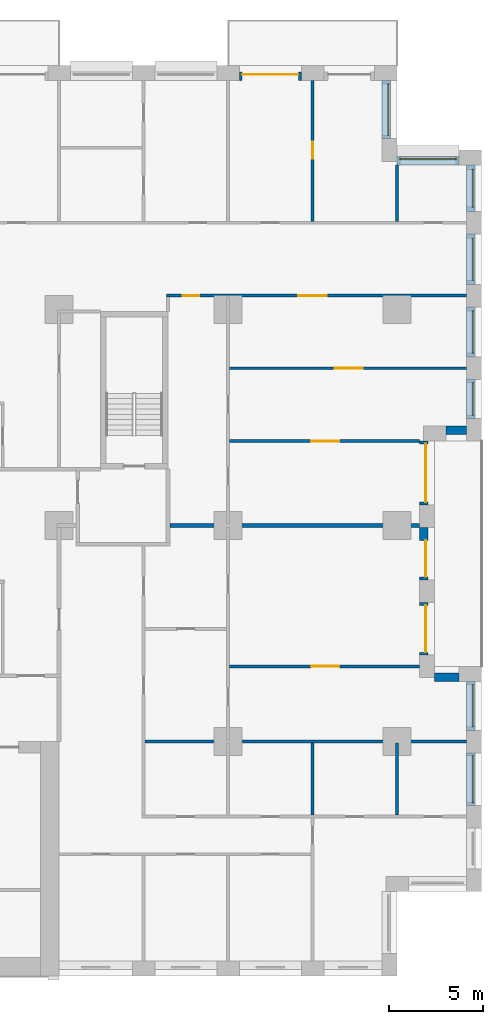
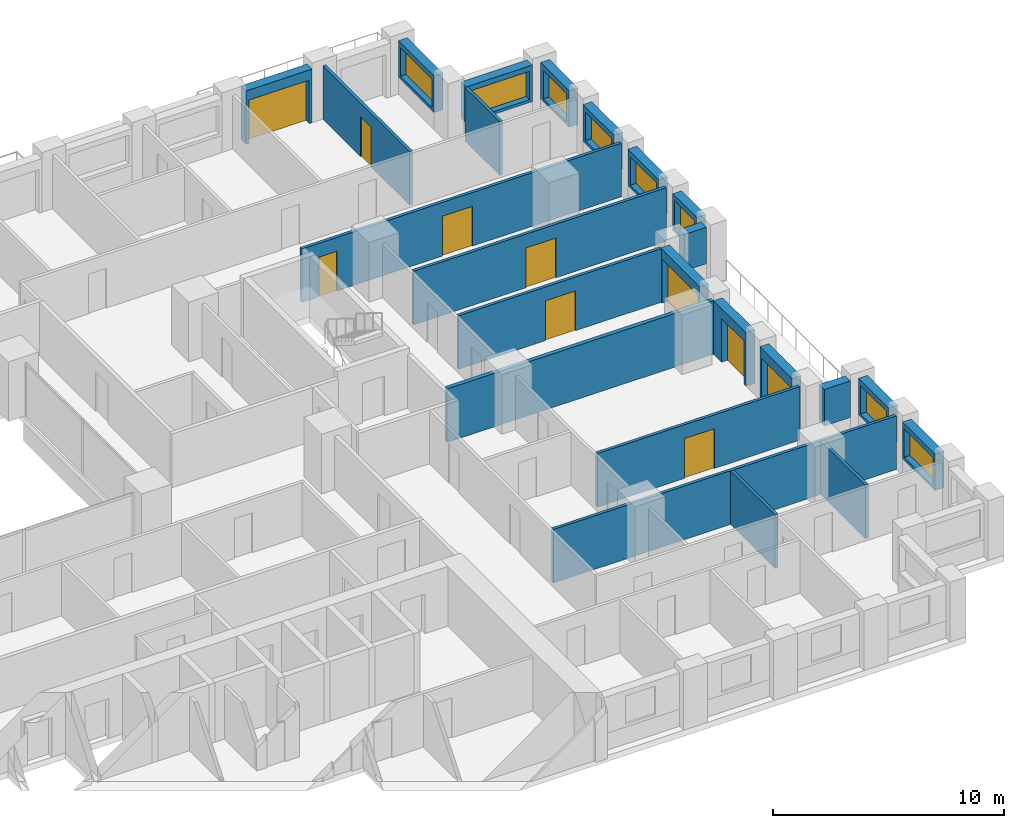
# One storey, part 16 of 19: 24 walls, 10 doors, 8 windows, 18 openings.
"""IFC4 building model written with IfcOpenShell, lengths in metres."""

from ifc_helpers import new_model, si_unit, direction, frame, frame_2d, origin, place, context, subcontext, project, spatial, rectangle, extrude, material, layer, layer_set, type_object, element, fill, save


model = new_model("IFC4")

# Units and contexts
model_context = context("Model", 3, precision=1e-05, world=origin(), true_north=direction((0.0, 1.0)))
body_context = subcontext(model_context, "Body", "Model", "MODEL_VIEW")
ifc_project = project(units=[si_unit("LENGTHUNIT", "METRE"), si_unit("AREAUNIT", "SQUARE_METRE"), si_unit("VOLUMEUNIT", "CUBIC_METRE"), si_unit("PLANEANGLEUNIT", "RADIAN"), si_unit("MASSUNIT", "GRAM", prefix="KILO")], contexts=[model_context])

# Site, building, storey
site_placement = place(None, origin())
site = spatial("IfcSite", under=ifc_project, at=site_placement, CompositionType="ELEMENT")
building_placement = place(site_placement, origin())
building = spatial("IfcBuilding", under=site, at=building_placement, Name="Brigalow Station Residences", CompositionType="ELEMENT")
storey_placement = place(building_placement, frame((0.0, 0.0, 25.800048828125)))
storey = spatial("IfcBuildingStorey", under=building, at=storey_placement, Name="L06", CompositionType="ELEMENT", Elevation=25.800048828125)

# Wall, opening, window
ifc_material_1 = material(Name="Clay brick masonry", Category="masonry")
ifc_layer_1 = layer(ifc_material_1, 0.449951171875)
ifc_layer_set_1 = layer_set([ifc_layer_1], Name="BRICK INFILL WALL 450")
wall_type_1 = type_object("IfcWallType", Name="BRICK INFILL WALL 450", PredefinedType="SOLIDWALL", material=ifc_layer_set_1)
wall_1_placement = place(storey_placement, frame((75.925048828125, 9.10009765625, 0.89990234375), z_axis=(0.0, 0.0, 1.0), x_axis=(0.0, 1.0, 0.0)))
wall_1 = element("IfcWall", 1, at=wall_1_placement, inside=storey, type_object=wall_type_1, Name="L06/ewall/W-L06-12", PredefinedType="SOLIDWALL", context=body_context, shape_type="SweptSolid", body=[
    extrude(rectangle(XDim=2.7998046875, YDim=0.449951171875, at=frame_2d((1.39990234375, 0.0))), origin(), (0.0, 0.0, 1.0), 1.929931640625),
])
opening_1_placement = place(wall_1_placement, frame((0.14990234375, 0.0, 0.14990234375)))
opening_1 = element("IfcOpeningElement", 2, at=opening_1_placement, cuts=wall_1, Name="Opening WT-5", PredefinedType="OPENING", context=body_context, shape_type="SweptSolid", body=[
    extrude(rectangle(XDim=2.5, YDim=1.5, at=frame_2d((1.25, 0.75))), frame((0.0, 0.23486328125, 0.0), z_axis=(0.0, -1.0, 0.0), x_axis=(1.0, 0.0, 0.0)), (0.0, 0.0, 1.0), 0.469970703125),
])
ifc_material_2 = material(Name="Anodised aluminium frame with double glazing", Category="aluminium")
window_type_1 = type_object("IfcWindowType", Name="WINDOW 2500x1500", PartitioningType="SINGLE_PANEL", PredefinedType="WINDOW", material=ifc_material_2)
window_1_placement = place(opening_1_placement, origin())
window_1 = element("IfcWindow", 3, at=window_1_placement, inside=storey, type_object=window_type_1, Name="L06/window/W-L06-12", OverallHeight=1.5, OverallWidth=2.5, PartitioningType="SINGLE_PANEL", PredefinedType="WINDOW", context=body_context, shape_type="SweptSolid", body=[
    extrude(rectangle(XDim=2.5, YDim=1.5, at=frame_2d((1.25, 0.75))), frame((0.0, -0.06494140625, 0.0), z_axis=(0.0, -1.0, 0.0), x_axis=(1.0, 0.0, 0.0)), (0.0, 0.0, 1.0), 0.06005859375),
])
fill(opening_1, window_1)

wall_2_placement = place(storey_placement, frame((75.925048828125, 13.10009765625, 0.89990234375), z_axis=(0.0, 0.0, 1.0), x_axis=(0.0, 1.0, 0.0)))
wall_2 = element("IfcWall", 4, at=wall_2_placement, inside=storey, type_object=wall_type_1, Name="L06/ewall/W-L06-13", PredefinedType="SOLIDWALL", context=body_context, shape_type="SweptSolid", body=[
    extrude(rectangle(XDim=2.599853515625, YDim=0.449951171875, at=frame_2d((1.2998046875, 0.0))), origin(), (0.0, 0.0, 1.0), 1.929931640625),
])
opening_2_placement = place(wall_2_placement, frame((0.175048828125, 0.0, 0.14990234375)))
opening_2 = element("IfcOpeningElement", 5, at=opening_2_placement, cuts=wall_2, Name="Opening WT-6", PredefinedType="OPENING", context=body_context, shape_type="SweptSolid", body=[
    extrude(rectangle(XDim=2.25, YDim=1.5, at=frame_2d((1.125, 0.75))), frame((0.0, 0.23486328125, 0.0), z_axis=(0.0, -1.0, 0.0), x_axis=(1.0, 0.0, 0.0)), (0.0, 0.0, 1.0), 0.469970703125),
])
ifc_material_3 = material(Name="Anodised aluminium frame with double glazing", Category="aluminium")
window_type_2 = type_object("IfcWindowType", Name="WINDOW 2250x1500", PartitioningType="SINGLE_PANEL", PredefinedType="WINDOW", material=ifc_material_3)
window_2_placement = place(opening_2_placement, origin())
window_2 = element("IfcWindow", 6, at=window_2_placement, inside=storey, type_object=window_type_2, Name="L06/window/W-L06-13", OverallHeight=1.5, OverallWidth=2.25, PartitioningType="SINGLE_PANEL", PredefinedType="WINDOW", context=body_context, shape_type="SweptSolid", body=[
    extrude(rectangle(XDim=2.25, YDim=1.5, at=frame_2d((1.125, 0.75))), frame((0.0, -0.06494140625, 0.0), z_axis=(0.0, -1.0, 0.0), x_axis=(1.0, 0.0, 0.0)), (0.0, 0.0, 1.0), 0.06005859375),
])
fill(opening_2, window_2)

# Wall
wall_3_placement = place(storey_placement, frame((75.300048828125, 15.925048828125, 0.89990234375), z_axis=(0.0, 0.0, 1.0), x_axis=(-1.0, 0.0, 0.0)))
element("IfcWall", 7, at=wall_3_placement, inside=storey, type_object=wall_type_1, Name="L06/ewall/W-L06-14", PredefinedType="SOLIDWALL", context=body_context, shape_type="SweptSolid", body=[
    extrude(rectangle(XDim=1.300048828125, YDim=0.449951171875, at=frame_2d((0.64990234375, 0.0))), origin(), (0.0, 0.0, 1.0), 1.929931640625),
])

# Wall, opening, door
wall_4_placement = place(storey_placement, frame((73.425048828125, 17.10009765625, 0.0), z_axis=(0.0, 0.0, 1.0), x_axis=(0.0, 1.0, 0.0)))
wall_4 = element("IfcWall", 8, at=wall_4_placement, inside=storey, type_object=wall_type_1, Name="L06/ewall/W-L06-15", PredefinedType="SOLIDWALL", context=body_context, shape_type="SweptSolid", body=[
    extrude(rectangle(XDim=2.7998046875, YDim=0.449951171875, at=frame_2d((1.39990234375, 0.0))), origin(), (0.0, 0.0, 1.0), 2.829833984375),
])
opening_3_placement = place(wall_4_placement, frame((0.14990234375, 0.0, 0.0)))
opening_3 = element("IfcOpeningElement", 9, at=opening_3_placement, cuts=wall_4, Name="Opening D-B2500", PredefinedType="OPENING", context=body_context, shape_type="SweptSolid", body=[
    extrude(rectangle(XDim=2.5, YDim=2.300048828125, at=frame_2d((1.25, 1.14990234375))), frame((0.0, 0.23486328125, 0.0), z_axis=(0.0, -1.0, 0.0), x_axis=(1.0, 0.0, 0.0)), (0.0, 0.0, 1.0), 0.469970703125),
])
ifc_material_4 = material(Name="Anodised aluminium frame with double glazing", Category="aluminium")
door_type_1 = type_object("IfcDoorType", Name="BALCONY SLIDING DOOR 2500x2300", OperationType="SLIDING_TO_LEFT", PredefinedType="DOOR", material=ifc_material_4)
door_1_placement = place(opening_3_placement, origin())
door_1 = element("IfcDoor", 10, at=door_1_placement, inside=storey, type_object=door_type_1, Name="L06/balcony-door/W-L06-15", OperationType="SLIDING_TO_LEFT", OverallHeight=2.300048828125, OverallWidth=2.5, PredefinedType="DOOR", context=body_context, shape_type="SweptSolid", body=[
    extrude(rectangle(XDim=2.5, YDim=2.300048828125, at=frame_2d((1.25, 1.14990234375))), frame((0.0, -0.06982421875, 0.0), z_axis=(0.0, -1.0, 0.0), x_axis=(1.0, 0.0, 0.0)), (0.0, 0.0, 1.0), 0.050048828125),
])
fill(opening_3, door_1)

wall_5_placement = place(storey_placement, frame((73.425048828125, 21.10009765625, 0.0), z_axis=(0.0, 0.0, 1.0), x_axis=(0.0, 1.0, 0.0)))
wall_5 = element("IfcWall", 11, at=wall_5_placement, inside=storey, type_object=wall_type_1, Name="L06/ewall/W-L06-16", PredefinedType="SOLIDWALL", context=body_context, shape_type="SweptSolid", body=[
    extrude(rectangle(XDim=2.7998046875, YDim=0.449951171875, at=frame_2d((1.39990234375, 0.0))), origin(), (0.0, 0.0, 1.0), 2.829833984375),
])
opening_4_placement = place(wall_5_placement, frame((0.1650390625, 0.0, 0.0)))
opening_4 = element("IfcOpeningElement", 12, at=opening_4_placement, cuts=wall_5, Name="Opening D-B1950", PredefinedType="OPENING", context=body_context, shape_type="SweptSolid", body=[
    extrude(rectangle(XDim=1.949951171875, YDim=2.300048828125, at=frame_2d((0.97509765625, 1.14990234375))), frame((0.0, 0.23486328125, 0.0), z_axis=(0.0, -1.0, 0.0), x_axis=(1.0, 0.0, 0.0)), (0.0, 0.0, 1.0), 0.469970703125),
])
ifc_material_5 = material(Name="Anodised aluminium frame with double glazing", Category="aluminium")
door_type_2 = type_object("IfcDoorType", Name="BALCONY SLIDING DOOR 1950x2300", OperationType="SLIDING_TO_LEFT", PredefinedType="DOOR", material=ifc_material_5)
door_2_placement = place(opening_4_placement, origin())
door_2 = element("IfcDoor", 13, at=door_2_placement, inside=storey, type_object=door_type_2, Name="L06/balcony-door/W-L06-16", OperationType="SLIDING_TO_LEFT", OverallHeight=2.300048828125, OverallWidth=1.949951171875, PredefinedType="DOOR", context=body_context, shape_type="SweptSolid", body=[
    extrude(rectangle(XDim=1.949951171875, YDim=2.300048828125, at=frame_2d((0.97509765625, 1.14990234375))), frame((0.0, -0.06982421875, 0.0), z_axis=(0.0, -1.0, 0.0), x_axis=(1.0, 0.0, 0.0)), (0.0, 0.0, 1.0), 0.050048828125),
])
fill(opening_4, door_2)

wall_6_placement = place(storey_placement, frame((73.425048828125, 25.10009765625, 0.0), z_axis=(0.0, 0.0, 1.0), x_axis=(0.0, 1.0, 0.0)))
wall_6 = element("IfcWall", 14, at=wall_6_placement, inside=storey, type_object=wall_type_1, Name="L06/ewall/W-L06-17", PredefinedType="SOLIDWALL", context=body_context, shape_type="SweptSolid", body=[
    extrude(rectangle(XDim=3.39990234375, YDim=0.449951171875, at=frame_2d((1.699951171875, 0.0))), origin(), (0.0, 0.0, 1.0), 2.829833984375),
])
opening_5_placement = place(wall_6_placement, frame((0.14990234375, 0.0, 0.0)))
opening_5 = element("IfcOpeningElement", 15, at=opening_5_placement, cuts=wall_6, Name="Opening D-B3100", PredefinedType="OPENING", context=body_context, shape_type="SweptSolid", body=[
    extrude(rectangle(XDim=3.10009765625, YDim=2.300048828125, at=frame_2d((1.550048828125, 1.14990234375))), frame((0.0, 0.23486328125, 0.0), z_axis=(0.0, -1.0, 0.0), x_axis=(1.0, 0.0, 0.0)), (0.0, 0.0, 1.0), 0.469970703125),
])
ifc_material_6 = material(Name="Anodised aluminium frame with double glazing", Category="aluminium")
door_type_3 = type_object("IfcDoorType", Name="BALCONY SLIDING DOOR 3100x2300", OperationType="SLIDING_TO_LEFT", PredefinedType="DOOR", material=ifc_material_6)
door_3_placement = place(opening_5_placement, origin())
door_3 = element("IfcDoor", 16, at=door_3_placement, inside=storey, type_object=door_type_3, Name="L06/balcony-door/W-L06-17", OperationType="SLIDING_TO_LEFT", OverallHeight=2.300048828125, OverallWidth=3.10009765625, PredefinedType="DOOR", context=body_context, shape_type="SweptSolid", body=[
    extrude(rectangle(XDim=3.10009765625, YDim=2.300048828125, at=frame_2d((1.550048828125, 1.14990234375))), frame((0.0, -0.06982421875, 0.0), z_axis=(0.0, -1.0, 0.0), x_axis=(1.0, 0.0, 0.0)), (0.0, 0.0, 1.0), 0.050048828125),
])
fill(opening_5, door_3)

# Wall
wall_7_placement = place(storey_placement, frame((74.60009765625, 29.074951171875, 0.89990234375), z_axis=(0.0, 0.0, 1.0), x_axis=(1.0, 0.0, 0.0)))
element("IfcWall", 17, at=wall_7_placement, inside=storey, type_object=wall_type_1, Name="L06/ewall/W-L06-18", PredefinedType="SOLIDWALL", context=body_context, shape_type="SweptSolid", body=[
    extrude(rectangle(XDim=1.099853515625, YDim=0.449951171875, at=frame_2d((0.5498046875, 0.0))), origin(), (0.0, 0.0, 1.0), 1.929931640625),
])

# Wall, opening, window
wall_8_placement = place(storey_placement, frame((75.925048828125, 29.699951171875, 0.89990234375), z_axis=(0.0, 0.0, 1.0), x_axis=(0.0, 1.0, 0.0)))
wall_8 = element("IfcWall", 18, at=wall_8_placement, inside=storey, type_object=wall_type_1, Name="L06/ewall/W-L06-19", PredefinedType="SOLIDWALL", context=body_context, shape_type="SweptSolid", body=[
    extrude(rectangle(XDim=2.074951171875, YDim=0.449951171875, at=frame_2d((1.03759765625, 0.0))), origin(), (0.0, 0.0, 1.0), 1.929931640625),
])
opening_6_placement = place(wall_8_placement, frame((0.16259765625, 0.0, 0.14990234375)))
opening_6 = element("IfcOpeningElement", 19, at=opening_6_placement, cuts=wall_8, Name="Opening WT-4", PredefinedType="OPENING", context=body_context, shape_type="SweptSolid", body=[
    extrude(rectangle(XDim=1.75, YDim=1.5, at=frame_2d((0.875, 0.75))), frame((0.0, 0.23486328125, 0.0), z_axis=(0.0, -1.0, 0.0), x_axis=(1.0, 0.0, 0.0)), (0.0, 0.0, 1.0), 0.469970703125),
])
ifc_material_7 = material(Name="Anodised aluminium frame with double glazing", Category="aluminium")
window_type_3 = type_object("IfcWindowType", Name="WINDOW 1750x1500", PartitioningType="SINGLE_PANEL", PredefinedType="WINDOW", material=ifc_material_7)
window_3_placement = place(opening_6_placement, origin())
window_3 = element("IfcWindow", 20, at=window_3_placement, inside=storey, type_object=window_type_3, Name="L06/window/W-L06-19", OverallHeight=1.5, OverallWidth=1.75, PartitioningType="SINGLE_PANEL", PredefinedType="WINDOW", context=body_context, shape_type="SweptSolid", body=[
    extrude(rectangle(XDim=1.75, YDim=1.5, at=frame_2d((0.875, 0.75))), frame((0.0, -0.06494140625, 0.0), z_axis=(0.0, -1.0, 0.0), x_axis=(1.0, 0.0, 0.0)), (0.0, 0.0, 1.0), 0.06005859375),
])
fill(opening_6, window_3)

wall_9_placement = place(storey_placement, frame((75.925048828125, 32.97509765625, 0.89990234375), z_axis=(0.0, 0.0, 1.0), x_axis=(0.0, 1.0, 0.0)))
wall_9 = element("IfcWall", 21, at=wall_9_placement, inside=storey, type_object=wall_type_1, Name="L06/ewall/W-L06-20", PredefinedType="SOLIDWALL", context=body_context, shape_type="SweptSolid", body=[
    extrude(rectangle(XDim=2.6748046875, YDim=0.449951171875, at=frame_2d((1.33740234375, 0.0))), origin(), (0.0, 0.0, 1.0), 1.929931640625),
])
opening_7_placement = place(wall_9_placement, frame((0.21240234375, 0.0, 0.14990234375)))
opening_7 = element("IfcOpeningElement", 22, at=opening_7_placement, cuts=wall_9, Name="Opening WT-6", PredefinedType="OPENING", context=body_context, shape_type="SweptSolid", body=[
    extrude(rectangle(XDim=2.25, YDim=1.5, at=frame_2d((1.125, 0.75))), frame((0.0, 0.23486328125, 0.0), z_axis=(0.0, -1.0, 0.0), x_axis=(1.0, 0.0, 0.0)), (0.0, 0.0, 1.0), 0.469970703125),
])
window_4_placement = place(opening_7_placement, origin())
window_4 = element("IfcWindow", 23, at=window_4_placement, inside=storey, type_object=window_type_2, Name="L06/window/W-L06-20", OverallHeight=1.5, OverallWidth=2.25, PartitioningType="SINGLE_PANEL", PredefinedType="WINDOW", context=body_context, shape_type="SweptSolid", body=[
    extrude(rectangle(XDim=2.25, YDim=1.5, at=frame_2d((1.125, 0.75))), frame((0.0, -0.06494140625, 0.0), z_axis=(0.0, -1.0, 0.0), x_axis=(1.0, 0.0, 0.0)), (0.0, 0.0, 1.0), 0.06005859375),
])
fill(opening_7, window_4)

wall_10_placement = place(storey_placement, frame((75.925048828125, 36.85009765625, 0.89990234375), z_axis=(0.0, 0.0, 1.0), x_axis=(0.0, 1.0, 0.0)))
wall_10 = element("IfcWall", 24, at=wall_10_placement, inside=storey, type_object=wall_type_1, Name="L06/ewall/W-L06-21", PredefinedType="SOLIDWALL", context=body_context, shape_type="SweptSolid", body=[
    extrude(rectangle(XDim=2.6748046875, YDim=0.449951171875, at=frame_2d((1.33740234375, 0.0))), origin(), (0.0, 0.0, 1.0), 1.929931640625),
])
opening_8_placement = place(wall_10_placement, frame((0.21240234375, 0.0, 0.14990234375)))
opening_8 = element("IfcOpeningElement", 25, at=opening_8_placement, cuts=wall_10, Name="Opening WT-6", PredefinedType="OPENING", context=body_context, shape_type="SweptSolid", body=[
    extrude(rectangle(XDim=2.25, YDim=1.5, at=frame_2d((1.125, 0.75))), frame((0.0, 0.23486328125, 0.0), z_axis=(0.0, -1.0, 0.0), x_axis=(1.0, 0.0, 0.0)), (0.0, 0.0, 1.0), 0.469970703125),
])
window_5_placement = place(opening_8_placement, origin())
window_5 = element("IfcWindow", 26, at=window_5_placement, inside=storey, type_object=window_type_2, Name="L06/window/W-L06-21", OverallHeight=1.5, OverallWidth=2.25, PartitioningType="SINGLE_PANEL", PredefinedType="WINDOW", context=body_context, shape_type="SweptSolid", body=[
    extrude(rectangle(XDim=2.25, YDim=1.5, at=frame_2d((1.125, 0.75))), frame((0.0, -0.06494140625, 0.0), z_axis=(0.0, -1.0, 0.0), x_axis=(1.0, 0.0, 0.0)), (0.0, 0.0, 1.0), 0.06005859375),
])
fill(opening_8, window_5)

wall_11_placement = place(storey_placement, frame((75.925048828125, 40.72509765625, 0.89990234375), z_axis=(0.0, 0.0, 1.0), x_axis=(0.0, 1.0, 0.0)))
wall_11 = element("IfcWall", 27, at=wall_11_placement, inside=storey, type_object=wall_type_1, Name="L06/ewall/W-L06-22", PredefinedType="SOLIDWALL", context=body_context, shape_type="SweptSolid", body=[
    extrude(rectangle(XDim=2.474853515625, YDim=0.449951171875, at=frame_2d((1.2373046875, 0.0))), origin(), (0.0, 0.0, 1.0), 1.929931640625),
])
opening_9_placement = place(wall_11_placement, frame((0.237548828125, 0.0, 0.14990234375)))
opening_9 = element("IfcOpeningElement", 28, at=opening_9_placement, cuts=wall_11, Name="Opening WT-7", PredefinedType="OPENING", context=body_context, shape_type="SweptSolid", body=[
    extrude(rectangle(XDim=2.0, YDim=1.5, at=frame_2d((1.0, 0.75))), frame((0.0, 0.23486328125, 0.0), z_axis=(0.0, -1.0, 0.0), x_axis=(1.0, 0.0, 0.0)), (0.0, 0.0, 1.0), 0.469970703125),
])
ifc_material_8 = material(Name="Anodised aluminium frame with double glazing", Category="aluminium")
window_type_4 = type_object("IfcWindowType", Name="WINDOW 2000x1500", PartitioningType="SINGLE_PANEL", PredefinedType="WINDOW", material=ifc_material_8)
window_6_placement = place(opening_9_placement, origin())
window_6 = element("IfcWindow", 29, at=window_6_placement, inside=storey, type_object=window_type_4, Name="L06/window/W-L06-22", OverallHeight=1.5, OverallWidth=2.0, PartitioningType="SINGLE_PANEL", PredefinedType="WINDOW", context=body_context, shape_type="SweptSolid", body=[
    extrude(rectangle(XDim=2.0, YDim=1.5, at=frame_2d((1.0, 0.75))), frame((0.0, -0.06494140625, 0.0), z_axis=(0.0, -1.0, 0.0), x_axis=(1.0, 0.0, 0.0)), (0.0, 0.0, 1.0), 0.06005859375),
])
fill(opening_9, window_6)

wall_12_placement = place(storey_placement, frame((75.300048828125, 43.425048828125, 0.89990234375), z_axis=(0.0, 0.0, 1.0), x_axis=(-1.0, 0.0, 0.0)))
wall_12 = element("IfcWall", 30, at=wall_12_placement, inside=storey, type_object=wall_type_1, Name="L06/ewall/W-L06-23", PredefinedType="SOLIDWALL", context=body_context, shape_type="SweptSolid", body=[
    extrude(rectangle(XDim=3.300048828125, YDim=0.449951171875, at=frame_2d((1.64990234375, 0.0))), origin(), (0.0, 0.0, 1.0), 1.929931640625),
])
opening_10_placement = place(wall_12_placement, frame((0.14990234375, 0.0, 0.14990234375)))
opening_10 = element("IfcOpeningElement", 31, at=opening_10_placement, cuts=wall_12, Name="Opening WT-2", PredefinedType="OPENING", context=body_context, shape_type="SweptSolid", body=[
    extrude(rectangle(XDim=3.0, YDim=1.5, at=frame_2d((1.5, 0.75))), frame((0.0, 0.23486328125, 0.0), z_axis=(0.0, -1.0, 0.0), x_axis=(1.0, 0.0, 0.0)), (0.0, 0.0, 1.0), 0.469970703125),
])
ifc_material_9 = material(Name="Anodised aluminium frame with double glazing", Category="aluminium")
window_type_5 = type_object("IfcWindowType", Name="WINDOW 3000x1500", PartitioningType="SINGLE_PANEL", PredefinedType="WINDOW", material=ifc_material_9)
window_7_placement = place(opening_10_placement, origin())
window_7 = element("IfcWindow", 32, at=window_7_placement, inside=storey, type_object=window_type_5, Name="L06/window/W-L06-23", OverallHeight=1.5, OverallWidth=3.0, PartitioningType="SINGLE_PANEL", PredefinedType="WINDOW", context=body_context, shape_type="SweptSolid", body=[
    extrude(rectangle(XDim=3.0, YDim=1.5, at=frame_2d((1.5, 0.75))), frame((0.0, -0.06494140625, 0.0), z_axis=(0.0, -1.0, 0.0), x_axis=(1.0, 0.0, 0.0)), (0.0, 0.0, 1.0), 0.06005859375),
])
fill(opening_10, window_7)

wall_13_placement = place(storey_placement, frame((71.425048828125, 44.60009765625, 0.89990234375), z_axis=(0.0, 0.0, 1.0), x_axis=(0.0, 1.0, 0.0)))
wall_13 = element("IfcWall", 33, at=wall_13_placement, inside=storey, type_object=wall_type_1, Name="L06/ewall/W-L06-24", PredefinedType="SOLIDWALL", context=body_context, shape_type="SweptSolid", body=[
    extrude(rectangle(XDim=3.099853515625, YDim=0.449951171875, at=frame_2d((1.5498046875, 0.0))), origin(), (0.0, 0.0, 1.0), 1.929931640625),
])
opening_11_placement = place(wall_13_placement, frame((0.175048828125, 0.0, 0.14990234375)))
opening_11 = element("IfcOpeningElement", 34, at=opening_11_placement, cuts=wall_13, Name="Opening WT-3", PredefinedType="OPENING", context=body_context, shape_type="SweptSolid", body=[
    extrude(rectangle(XDim=2.75, YDim=1.5, at=frame_2d((1.375, 0.75))), frame((0.0, 0.23486328125, 0.0), z_axis=(0.0, -1.0, 0.0), x_axis=(1.0, 0.0, 0.0)), (0.0, 0.0, 1.0), 0.469970703125),
])
ifc_material_10 = material(Name="Anodised aluminium frame with double glazing", Category="aluminium")
window_type_6 = type_object("IfcWindowType", Name="WINDOW 2750x1500", PartitioningType="SINGLE_PANEL", PredefinedType="WINDOW", material=ifc_material_10)
window_8_placement = place(opening_11_placement, origin())
window_8 = element("IfcWindow", 35, at=window_8_placement, inside=storey, type_object=window_type_6, Name="L06/window/W-L06-24", OverallHeight=1.5, OverallWidth=2.75, PartitioningType="SINGLE_PANEL", PredefinedType="WINDOW", context=body_context, shape_type="SweptSolid", body=[
    extrude(rectangle(XDim=2.75, YDim=1.5, at=frame_2d((1.375, 0.75))), frame((0.0, -0.06494140625, 0.0), z_axis=(0.0, -1.0, 0.0), x_axis=(1.0, 0.0, 0.0)), (0.0, 0.0, 1.0), 0.06005859375),
])
fill(opening_11, window_8)

# Wall, opening, door
wall_14_placement = place(storey_placement, frame((66.89990234375, 47.925048828125, 0.0), z_axis=(0.0, 0.0, 1.0), x_axis=(-1.0, 0.0, 0.0)))
wall_14 = element("IfcWall", 36, at=wall_14_placement, inside=storey, type_object=wall_type_1, Name="L06/ewall/W-L06-26", PredefinedType="SOLIDWALL", context=body_context, shape_type="SweptSolid", body=[
    extrude(rectangle(XDim=3.2998046875, YDim=0.449951171875, at=frame_2d((1.64990234375, 0.0))), origin(), (0.0, 0.0, 1.0), 2.829833984375),
])
opening_12_placement = place(wall_14_placement, frame((0.14990234375, 0.0, 0.0)))
opening_12 = element("IfcOpeningElement", 37, at=opening_12_placement, cuts=wall_14, Name="Opening D-B3000", PredefinedType="OPENING", context=body_context, shape_type="SweptSolid", body=[
    extrude(rectangle(XDim=3.0, YDim=2.300048828125, at=frame_2d((1.5, 1.14990234375))), frame((0.0, 0.23486328125, 0.0), z_axis=(0.0, -1.0, 0.0), x_axis=(1.0, 0.0, 0.0)), (0.0, 0.0, 1.0), 0.469970703125),
])
ifc_material_11 = material(Name="Anodised aluminium frame with double glazing", Category="aluminium")
door_type_4 = type_object("IfcDoorType", Name="BALCONY SLIDING DOOR 3000x2300", OperationType="SLIDING_TO_LEFT", PredefinedType="DOOR", material=ifc_material_11)
door_4_placement = place(opening_12_placement, origin())
door_4 = element("IfcDoor", 38, at=door_4_placement, inside=storey, type_object=door_type_4, Name="L06/balcony-door/W-L06-26", OperationType="SLIDING_TO_LEFT", OverallHeight=2.300048828125, OverallWidth=3.0, PredefinedType="DOOR", context=body_context, shape_type="SweptSolid", body=[
    extrude(rectangle(XDim=3.0, YDim=2.300048828125, at=frame_2d((1.5, 1.14990234375))), frame((0.0, -0.06982421875, 0.0), z_axis=(0.0, -1.0, 0.0), x_axis=(1.0, 0.0, 0.0)), (0.0, 0.0, 1.0), 0.050048828125),
])
fill(opening_12, door_4)

# Wall
ifc_material_12 = material(Name="Plasterboard on steel stud partition", Category="steel")
ifc_layer_2 = layer(ifc_material_12, 0.14990234375)
ifc_layer_set_2 = layer_set([ifc_layer_2], Name="FLAT PARTITION 150")
wall_type_2 = type_object("IfcWallType", Name="FLAT PARTITION 150", PredefinedType="PARTITIONING", material=ifc_layer_set_2)
wall_15_placement = place(storey_placement, frame((58.574951171875, 12.5, 0.0), z_axis=(0.0, 0.0, 1.0), x_axis=(1.0, 0.0, 0.0)))
element("IfcWall", 39, at=wall_15_placement, inside=storey, type_object=wall_type_2, Name="PW-1A12", PredefinedType="PARTITIONING", context=body_context, shape_type="SweptSolid", body=[
    extrude(rectangle(XDim=17.125, YDim=0.14990234375, at=frame_2d((8.5625, 0.0))), origin(), (0.0, 0.0, 1.0), 2.829833984375),
])

# Wall, opening, door
wall_16_placement = place(storey_placement, frame((63.074951171875, 32.375, 0.0), z_axis=(0.0, 0.0, 1.0), x_axis=(1.0, 0.0, 0.0)))
wall_16 = element("IfcWall", 40, at=wall_16_placement, inside=storey, type_object=wall_type_2, Name="PW-1A17", PredefinedType="PARTITIONING", context=body_context, shape_type="SweptSolid", body=[
    extrude(rectangle(XDim=12.625, YDim=0.14990234375, at=frame_2d((6.3125, 0.0))), origin(), (0.0, 0.0, 1.0), 2.829833984375),
])
opening_13_placement = place(wall_16_placement, frame((5.60009765625, 0.0, 0.0)))
opening_13 = element("IfcOpeningElement", 41, at=opening_13_placement, cuts=wall_16, Name="Opening D-1A46", PredefinedType="OPENING", context=body_context, shape_type="SweptSolid", body=[
    extrude(rectangle(XDim=1.5, YDim=2.10009765625, at=frame_2d((0.75, 1.050048828125))), frame((0.0, 0.0849609375, 0.0), z_axis=(0.0, -1.0, 0.0), x_axis=(1.0, 0.0, 0.0)), (0.0, 0.0, 1.0), 0.169921875),
])
ifc_material_13 = material(Name="Solid-core timber door leaf", Category="wood")
door_type_5 = type_object("IfcDoorType", Name="INTERNAL DOUBLE DOOR 1500 x 2100", OperationType="DOUBLE_DOOR_SINGLE_SWING", PredefinedType="DOOR", material=ifc_material_13)
door_5_placement = place(opening_13_placement, frame((1.5, 0.0, 0.0), z_axis=(0.0, 0.0, 1.0), x_axis=(-1.0, 0.0, 0.0)))
door_5 = element("IfcDoor", 42, at=door_5_placement, inside=storey, type_object=door_type_5, Name="D-1A46", OperationType="DOUBLE_DOOR_SINGLE_SWING", OverallHeight=2.10009765625, OverallWidth=1.5, PredefinedType="DOOR", context=body_context, shape_type="SweptSolid", body=[
    extrude(rectangle(XDim=1.5, YDim=2.10009765625, at=frame_2d((0.75, 1.050048828125))), frame((0.0, 0.02490234375, 0.0), z_axis=(0.0, -1.0, 0.0), x_axis=(1.0, 0.0, 0.0)), (0.0, 0.0, 1.0), 0.050048828125),
])
fill(opening_13, door_5)

# Wall, openings, doors
wall_17_placement = place(storey_placement, frame((59.72509765625, 36.25, 0.0), z_axis=(0.0, 0.0, 1.0), x_axis=(1.0, 0.0, 0.0)))
wall_17 = element("IfcWall", 43, at=wall_17_placement, inside=storey, type_object=wall_type_2, Name="PW-1A19", PredefinedType="PARTITIONING", context=body_context, shape_type="SweptSolid", body=[
    extrude(rectangle(XDim=15.974853515625, YDim=0.14990234375, at=frame_2d((7.9873046875, 0.0))), origin(), (0.0, 0.0, 1.0), 2.829833984375),
])
opening_14_placement = place(wall_17_placement, frame((7.02490234375, 0.0, 0.0)))
opening_14 = element("IfcOpeningElement", 44, at=opening_14_placement, cuts=wall_17, Name="Opening D-1A47", PredefinedType="OPENING", context=body_context, shape_type="SweptSolid", body=[
    extrude(rectangle(XDim=1.5, YDim=2.10009765625, at=frame_2d((0.75, 1.050048828125))), frame((0.0, 0.0849609375, 0.0), z_axis=(0.0, -1.0, 0.0), x_axis=(1.0, 0.0, 0.0)), (0.0, 0.0, 1.0), 0.169921875),
])
opening_15_placement = place(wall_17_placement, frame((0.85009765625, 0.0, 0.0)))
opening_15 = element("IfcOpeningElement", 45, at=opening_15_placement, cuts=wall_17, Name="Opening D-1A50", PredefinedType="OPENING", context=body_context, shape_type="SweptSolid", body=[
    extrude(rectangle(XDim=0.89990234375, YDim=2.10009765625, at=frame_2d((0.449951171875, 1.050048828125))), frame((0.0, 0.0849609375, 0.0), z_axis=(0.0, -1.0, 0.0), x_axis=(1.0, 0.0, 0.0)), (0.0, 0.0, 1.0), 0.169921875),
])
ifc_material_14 = material(Name="Solid-core timber door leaf", Category="wood")
door_type_6 = type_object("IfcDoorType", Name="INTERNAL DOOR 900 x 2100", OperationType="SINGLE_SWING_LEFT", PredefinedType="DOOR", material=ifc_material_14)
door_6_placement = place(opening_15_placement, frame((0.89990234375, 0.0, 0.0), z_axis=(0.0, 0.0, 1.0), x_axis=(-1.0, 0.0, 0.0)))
door_6 = element("IfcDoor", 46, at=door_6_placement, inside=storey, type_object=door_type_6, Name="D-1A50", OperationType="SINGLE_SWING_RIGHT", OverallHeight=2.10009765625, OverallWidth=0.89990234375, PredefinedType="DOOR", context=body_context, shape_type="SweptSolid", body=[
    extrude(rectangle(XDim=0.89990234375, YDim=2.10009765625, at=frame_2d((0.449951171875, 1.050048828125))), frame((0.0, 0.02490234375, 0.0), z_axis=(0.0, -1.0, 0.0), x_axis=(1.0, 0.0, 0.0)), (0.0, 0.0, 1.0), 0.050048828125),
])
fill(opening_15, door_6)
door_7_placement = place(opening_14_placement, frame((1.5, 0.0, 0.0), z_axis=(0.0, 0.0, 1.0), x_axis=(-1.0, 0.0, 0.0)))
door_7 = element("IfcDoor", 47, at=door_7_placement, inside=storey, type_object=door_type_5, Name="D-1A47", OperationType="DOUBLE_DOOR_SINGLE_SWING", OverallHeight=2.10009765625, OverallWidth=1.5, PredefinedType="DOOR", context=body_context, shape_type="SweptSolid", body=[
    extrude(rectangle(XDim=1.5, YDim=2.10009765625, at=frame_2d((0.75, 1.050048828125))), frame((0.0, 0.02490234375, 0.0), z_axis=(0.0, -1.0, 0.0), x_axis=(1.0, 0.0, 0.0)), (0.0, 0.0, 1.0), 0.050048828125),
])
fill(opening_14, door_7)

# Wall, opening, door
wall_18_placement = place(storey_placement, frame((63.074951171875, 16.5, 0.0), z_axis=(0.0, 0.0, 1.0), x_axis=(1.0, 0.0, 0.0)))
wall_18 = element("IfcWall", 48, at=wall_18_placement, inside=storey, type_object=wall_type_2, Name="PW-1A29", PredefinedType="PARTITIONING", context=body_context, shape_type="SweptSolid", body=[
    extrude(rectangle(XDim=10.125, YDim=0.14990234375, at=frame_2d((5.0625, 0.0))), origin(), (0.0, 0.0, 1.0), 2.829833984375),
])
opening_16_placement = place(wall_18_placement, frame((4.35009765625, 0.0, 0.0)))
opening_16 = element("IfcOpeningElement", 49, at=opening_16_placement, cuts=wall_18, Name="Opening D-1A43", PredefinedType="OPENING", context=body_context, shape_type="SweptSolid", body=[
    extrude(rectangle(XDim=1.5, YDim=2.10009765625, at=frame_2d((0.75, 1.050048828125))), frame((0.0, 0.0849609375, 0.0), z_axis=(0.0, -1.0, 0.0), x_axis=(1.0, 0.0, 0.0)), (0.0, 0.0, 1.0), 0.169921875),
])
door_8_placement = place(opening_16_placement, frame((1.5, 0.0, 0.0), z_axis=(0.0, 0.0, 1.0), x_axis=(-1.0, 0.0, 0.0)))
door_8 = element("IfcDoor", 50, at=door_8_placement, inside=storey, type_object=door_type_5, Name="D-1A43", OperationType="DOUBLE_DOOR_SINGLE_SWING", OverallHeight=2.10009765625, OverallWidth=1.5, PredefinedType="DOOR", context=body_context, shape_type="SweptSolid", body=[
    extrude(rectangle(XDim=1.5, YDim=2.10009765625, at=frame_2d((0.75, 1.050048828125))), frame((0.0, 0.02490234375, 0.0), z_axis=(0.0, -1.0, 0.0), x_axis=(1.0, 0.0, 0.0)), (0.0, 0.0, 1.0), 0.050048828125),
])
fill(opening_16, door_8)

wall_19_placement = place(storey_placement, frame((63.074951171875, 28.5, 0.0), z_axis=(0.0, 0.0, 1.0), x_axis=(1.0, 0.0, 0.0)))
wall_19 = element("IfcWall", 51, at=wall_19_placement, inside=storey, type_object=wall_type_2, Name="PW-1A30", PredefinedType="PARTITIONING", context=body_context, shape_type="SweptSolid", body=[
    extrude(rectangle(XDim=10.125, YDim=0.14990234375, at=frame_2d((5.0625, 0.0))), origin(), (0.0, 0.0, 1.0), 2.829833984375),
])
opening_17_placement = place(wall_19_placement, frame((4.35009765625, 0.0, 0.0)))
opening_17 = element("IfcOpeningElement", 52, at=opening_17_placement, cuts=wall_19, Name="Opening D-1A45", PredefinedType="OPENING", context=body_context, shape_type="SweptSolid", body=[
    extrude(rectangle(XDim=1.5, YDim=2.10009765625, at=frame_2d((0.75, 1.050048828125))), frame((0.0, 0.0849609375, 0.0), z_axis=(0.0, -1.0, 0.0), x_axis=(1.0, 0.0, 0.0)), (0.0, 0.0, 1.0), 0.169921875),
])
door_9_placement = place(opening_17_placement, frame((1.5, 0.0, 0.0), z_axis=(0.0, 0.0, 1.0), x_axis=(-1.0, 0.0, 0.0)))
door_9 = element("IfcDoor", 53, at=door_9_placement, inside=storey, type_object=door_type_5, Name="D-1A45", OperationType="DOUBLE_DOOR_SINGLE_SWING", OverallHeight=2.10009765625, OverallWidth=1.5, PredefinedType="DOOR", context=body_context, shape_type="SweptSolid", body=[
    extrude(rectangle(XDim=1.5, YDim=2.10009765625, at=frame_2d((0.75, 1.050048828125))), frame((0.0, 0.02490234375, 0.0), z_axis=(0.0, -1.0, 0.0), x_axis=(1.0, 0.0, 0.0)), (0.0, 0.0, 1.0), 0.050048828125),
])
fill(opening_17, door_9)

# Wall
wall_20_placement = place(storey_placement, frame((67.5, 8.574951171875, 0.0), z_axis=(0.0, 0.0, 1.0), x_axis=(0.0, 1.0, 0.0)))
element("IfcWall", 54, at=wall_20_placement, inside=storey, type_object=wall_type_2, Name="PW-1A70", PredefinedType="PARTITIONING", context=body_context, shape_type="SweptSolid", body=[
    extrude(rectangle(XDim=3.85009765625, YDim=0.14990234375, at=frame_2d((1.925048828125, 0.0))), origin(), (0.0, 0.0, 1.0), 2.829833984375),
])

# Wall, opening, door
wall_21_placement = place(storey_placement, frame((67.5, 40.199951171875, 0.0), z_axis=(0.0, 0.0, 1.0), x_axis=(0.0, 1.0, 0.0)))
wall_21 = element("IfcWall", 55, at=wall_21_placement, inside=storey, type_object=wall_type_2, Name="PW-1A71", PredefinedType="PARTITIONING", context=body_context, shape_type="SweptSolid", body=[
    extrude(rectangle(XDim=7.5, YDim=0.14990234375, at=frame_2d((3.75, 0.0))), origin(), (0.0, 0.0, 1.0), 2.829833984375),
])
opening_18_placement = place(wall_21_placement, frame((3.3369140625, 0.0, 0.0)))
opening_18 = element("IfcOpeningElement", 56, at=opening_18_placement, cuts=wall_21, Name="Opening D-1A54", PredefinedType="OPENING", context=body_context, shape_type="SweptSolid", body=[
    extrude(rectangle(XDim=0.89990234375, YDim=2.10009765625, at=frame_2d((0.449951171875, 1.050048828125))), frame((0.0, 0.0849609375, 0.0), z_axis=(0.0, -1.0, 0.0), x_axis=(1.0, 0.0, 0.0)), (0.0, 0.0, 1.0), 0.169921875),
])
door_10_placement = place(opening_18_placement, frame((0.89990234375, 0.0, 0.0), z_axis=(0.0, 0.0, 1.0), x_axis=(-1.0, 0.0, 0.0)))
door_10 = element("IfcDoor", 57, at=door_10_placement, inside=storey, type_object=door_type_6, Name="D-1A54", OperationType="SINGLE_SWING_LEFT", OverallHeight=2.10009765625, OverallWidth=0.89990234375, PredefinedType="DOOR", context=body_context, shape_type="SweptSolid", body=[
    extrude(rectangle(XDim=0.89990234375, YDim=2.10009765625, at=frame_2d((0.449951171875, 1.050048828125))), frame((0.0, 0.02490234375, 0.0), z_axis=(0.0, -1.0, 0.0), x_axis=(1.0, 0.0, 0.0)), (0.0, 0.0, 1.0), 0.050048828125),
])
fill(opening_18, door_10)

# Walls
wall_22_placement = place(storey_placement, frame((72.0, 8.574951171875, 0.0), z_axis=(0.0, 0.0, 1.0), x_axis=(0.0, 1.0, 0.0)))
element("IfcWall", 58, at=wall_22_placement, inside=storey, type_object=wall_type_2, Name="PW-1A72", PredefinedType="PARTITIONING", context=body_context, shape_type="SweptSolid", body=[
    extrude(rectangle(XDim=3.85009765625, YDim=0.14990234375, at=frame_2d((1.925048828125, 0.0))), origin(), (0.0, 0.0, 1.0), 2.829833984375),
])
wall_23_placement = place(storey_placement, frame((72.0, 40.199951171875, 0.0), z_axis=(0.0, 0.0, 1.0), x_axis=(0.0, 1.0, 0.0)))
element("IfcWall", 59, at=wall_23_placement, inside=storey, type_object=wall_type_2, Name="PW-1A73", PredefinedType="PARTITIONING", context=body_context, shape_type="SweptSolid", body=[
    extrude(rectangle(XDim=3.0, YDim=0.14990234375, at=frame_2d((1.5, 0.0))), origin(), (0.0, 0.0, 1.0), 2.829833984375),
])
ifc_material_15 = material(Name="Plasterboard on steel stud partition", Category="steel")
ifc_layer_3 = layer(ifc_material_15, 0.199951171875)
ifc_layer_set_3 = layer_set([ifc_layer_3], Name="PARTY AND CORRIDOR WALL 200")
wall_type_3 = type_object("IfcWallType", Name="PARTY AND CORRIDOR WALL 200", PredefinedType="PARTITIONING", material=ifc_layer_set_3)
wall_24_placement = place(storey_placement, frame((59.89990234375, 24.0, 0.0), z_axis=(0.0, 0.0, 1.0), x_axis=(1.0, 0.0, 0.0)))
element("IfcWall", 60, at=wall_24_placement, inside=storey, type_object=wall_type_3, Name="PW-1A05", PredefinedType="PARTITIONING", context=body_context, shape_type="SweptSolid", body=[
    extrude(rectangle(XDim=13.300048828125, YDim=0.199951171875, at=frame_2d((6.64990234375, 0.0))), origin(), (0.0, 0.0, 1.0), 2.829833984375),
])

save(model, "model.ifc")
